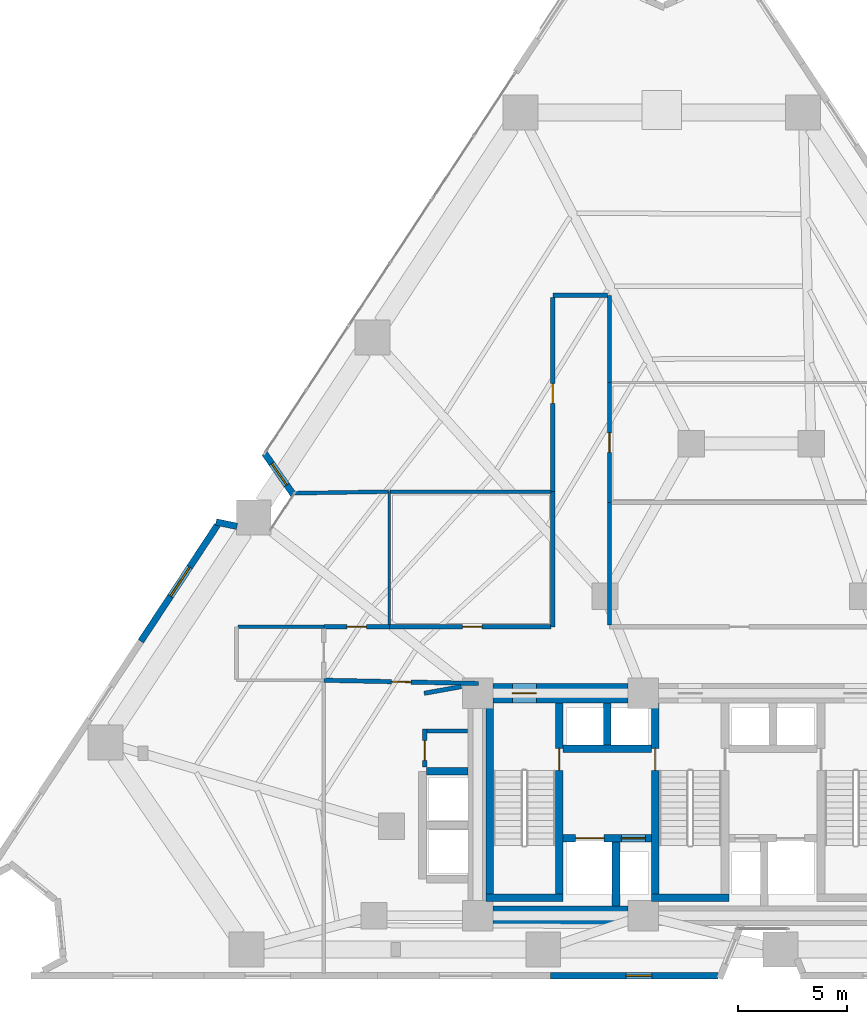
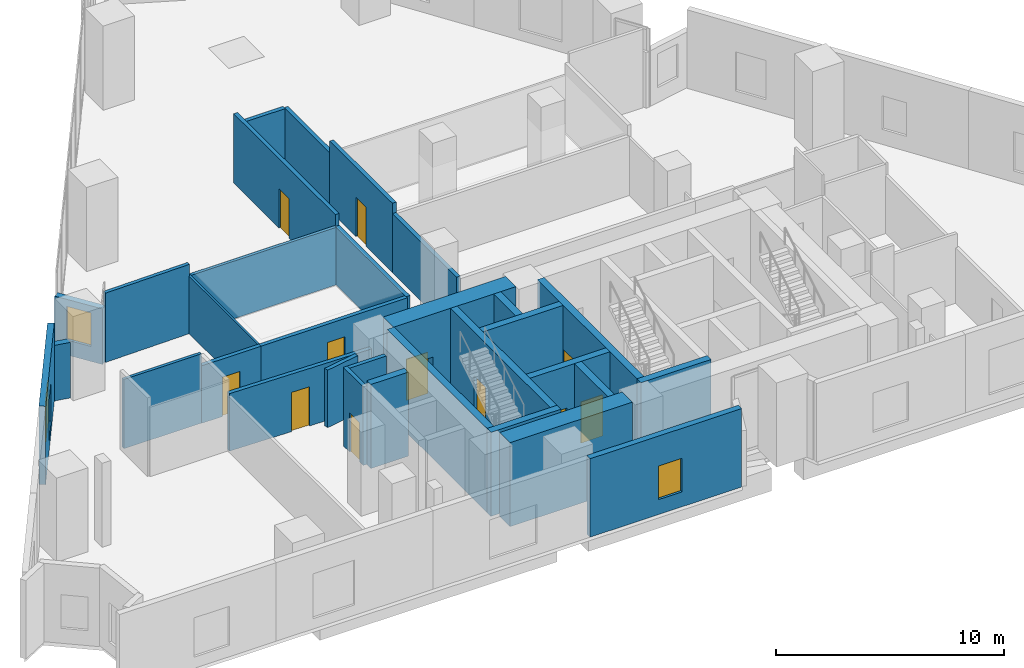
# One storey, part 7 of 12: 32 walls, 11 doors, 3 windows, 14 openings.
"""IFC4 building model written with IfcOpenShell, lengths in metres."""

from ifc_helpers import new_model, si_unit, direction, frame, frame_2d, origin, place, context, subcontext, project, spatial, rectangle, extrude, material, layer, layer_set, type_object, element, fill, save


model = new_model("IFC4")

# Units and contexts
model_context = context("Model", 3, precision=1e-05, world=origin(), true_north=direction((0.0, 1.0)))
body_context = subcontext(model_context, "Body", "Model", "MODEL_VIEW")
ifc_project = project(units=[si_unit("LENGTHUNIT", "METRE"), si_unit("AREAUNIT", "SQUARE_METRE"), si_unit("VOLUMEUNIT", "CUBIC_METRE"), si_unit("PLANEANGLEUNIT", "RADIAN"), si_unit("MASSUNIT", "GRAM", prefix="KILO")], contexts=[model_context])

# Site, building, storey
site_placement = place(None, origin())
site = spatial("IfcSite", under=ifc_project, at=site_placement, CompositionType="ELEMENT")
building_placement = place(site_placement, origin())
building = spatial("IfcBuilding", under=site, at=building_placement, Name="Almagre Mirador Tower", CompositionType="ELEMENT")
storey_placement = place(building_placement, frame((0.0, 0.0, 17.39990234375)))
storey = spatial("IfcBuildingStorey", under=building, at=storey_placement, Name="L03", CompositionType="ELEMENT", Elevation=17.39990234375)

# Wall
ifc_material_1 = material(Name="Precast concrete C50/60", Category="concrete")
ifc_layer_1 = layer(ifc_material_1, 0.300048828125)
ifc_layer_set_1 = layer_set([ifc_layer_1], Name="Precast concrete C50/60")
wall_type_1 = type_object("IfcWallType", Name="WAL-EXT-300", PredefinedType="SOLIDWALL", material=ifc_layer_set_1)
wall_1_placement = place(storey_placement, frame((15.554931640625, 22.6083984375, 0.0), z_axis=(0.0, 0.0, 1.0), x_axis=(0.979253639734, -0.202638370175, 0.0)))
element("IfcWall", 1, at=wall_1_placement, inside=storey, type_object=wall_type_1, Name="L03 expressed almagre precast frame wall 01", PredefinedType="SOLIDWALL", context=body_context, shape_type="SweptSolid", body=[
    extrude(rectangle(XDim=0.985595703125, YDim=0.300048828125, at=frame_2d((0.49267578125, 0.0))), origin(), (0.0, 0.0, 1.0), 2.97509765625),
])

# Wall, opening, window
wall_2_placement = place(storey_placement, frame((19.10791015625, 23.85595703125, 0.0), z_axis=(0.0, 0.0, 1.0), x_axis=(-0.57261227679, 0.819826311159, 0.0)))
wall_2 = element("IfcWall", 2, at=wall_2_placement, inside=storey, type_object=wall_type_1, Name="L03 expressed almagre precast frame wall 02", PredefinedType="SOLIDWALL", context=body_context, shape_type="SweptSolid", body=[
    extrude(rectangle(XDim=2.31396484375, YDim=0.300048828125, at=frame_2d((1.156982421875, 0.0))), origin(), (0.0, 0.0, 1.0), 2.97509765625),
])
opening_1_placement = place(wall_2_placement, frame((0.550048828125, 0.0, 0.800048828125)))
opening_1 = element("IfcOpeningElement", 3, at=opening_1_placement, cuts=wall_2, Name="Opening WN-04", PredefinedType="OPENING", context=body_context, shape_type="SweptSolid", body=[
    extrude(rectangle(XDim=1.199951171875, YDim=1.800048828125, at=frame_2d((0.60009765625, 0.89990234375))), frame((0.0, 0.159902, 0.0), z_axis=(0.0, -1.0, 0.0), x_axis=(1.0, 0.0, 0.0)), (0.0, 0.0, 1.0), 0.320049),
])
ifc_material_2 = material(Name="Dark solar-control laminated hurricane glass", Category="glass")
window_type_1 = type_object("IfcWindowType", Name="WIN-1200X1800", PartitioningType="SINGLE_PANEL", PredefinedType="WINDOW", material=ifc_material_2)
window_1_placement = place(opening_1_placement, origin())
window_1 = element("IfcWindow", 4, at=window_1_placement, inside=storey, type_object=window_type_1, Name="L03 recessed hurricane window L03-MAS-12", OverallHeight=1.800048828125, OverallWidth=1.199951171875, PartitioningType="SINGLE_PANEL", PredefinedType="WINDOW", context=body_context, shape_type="SweptSolid", body=[
    extrude(rectangle(XDim=1.199951171875, YDim=1.800048828125, at=frame_2d((0.60009765625, 0.89990234375))), frame((0.0, 0.030029296875, 0.0), z_axis=(0.0, -1.0, 0.0), x_axis=(1.0, 0.0, 0.0)), (0.0, 0.0, 1.0), 0.06005859375),
])
fill(opening_1, window_1)

wall_3_placement = place(storey_placement, frame((38.572998046875, 1.800048828125, 0.0), z_axis=(0.0, 0.0, 1.0), x_axis=(-1.0, 0.0, 0.0)))
wall_3 = element("IfcWall", 5, at=wall_3_placement, inside=storey, type_object=wall_type_1, Name="L03 expressed almagre precast frame wall 26", PredefinedType="SOLIDWALL", context=body_context, shape_type="SweptSolid", body=[
    extrude(rectangle(XDim=7.672119140625, YDim=0.300048828125, at=frame_2d((3.8359375, 0.0))), origin(), (0.0, 0.0, 1.0), 4.2001953125),
])
opening_2_placement = place(wall_3_placement, frame((3.02490234375, 0.0, 0.800048828125)))
opening_2 = element("IfcOpeningElement", 6, at=opening_2_placement, cuts=wall_3, Name="Opening WN-04", PredefinedType="OPENING", context=body_context, shape_type="SweptSolid", body=[
    extrude(rectangle(XDim=1.199951171875, YDim=1.800048828125, at=frame_2d((0.60009765625, 0.89990234375))), frame((0.0, 0.159902, 0.0), z_axis=(0.0, -1.0, 0.0), x_axis=(1.0, 0.0, 0.0)), (0.0, 0.0, 1.0), 0.320049),
])
window_2_placement = place(opening_2_placement, origin())
window_2 = element("IfcWindow", 7, at=window_2_placement, inside=storey, type_object=window_type_1, Name="L03 recessed hurricane window L03-PIL-3", OverallHeight=1.800048828125, OverallWidth=1.199951171875, PartitioningType="SINGLE_PANEL", PredefinedType="WINDOW", context=body_context, shape_type="SweptSolid", body=[
    extrude(rectangle(XDim=1.199951171875, YDim=1.800048828125, at=frame_2d((0.60009765625, 0.89990234375))), frame((0.0, 0.030029296875, 0.0), z_axis=(0.0, -1.0, 0.0), x_axis=(1.0, 0.0, 0.0)), (0.0, 0.0, 1.0), 0.06005859375),
])
fill(opening_2, window_2)

wall_4_placement = place(storey_placement, frame((12.107421875, 17.1396484375, 0.0), z_axis=(0.0, 0.0, 1.0), x_axis=(0.550188457537, 0.835040514701, 0.0)))
wall_4 = element("IfcWall", 8, at=wall_4_placement, inside=storey, type_object=wall_type_1, Name="L03 expressed almagre precast frame wall 36", PredefinedType="SOLIDWALL", context=body_context, shape_type="SweptSolid", body=[
    extrude(rectangle(XDim=6.380126953125, YDim=0.300048828125, at=frame_2d((3.18994140625, 0.0))), origin(), (0.0, 0.0, 1.0), 4.2001953125),
])
opening_3_placement = place(wall_4_placement, frame((2.47509765625, 0.0, 0.550048828125)))
opening_3 = element("IfcOpeningElement", 9, at=opening_3_placement, cuts=wall_4, Name="Opening WN-06", PredefinedType="OPENING", context=body_context, shape_type="SweptSolid", body=[
    extrude(rectangle(XDim=1.60009765625, YDim=2.199951171875, at=frame_2d((0.800048828125, 1.10009765625))), frame((0.0, 0.159902, 0.0), z_axis=(0.0, -1.0, 0.0), x_axis=(1.0, 0.0, 0.0)), (0.0, 0.0, 1.0), 0.320049),
])
ifc_material_3 = material(Name="Dark solar-control laminated hurricane glass", Category="glass")
window_type_2 = type_object("IfcWindowType", Name="WIN-1600X2200", PartitioningType="DOUBLE_PANEL_VERTICAL", PredefinedType="WINDOW", material=ifc_material_3)
window_3_placement = place(opening_3_placement, origin())
window_3 = element("IfcWindow", 10, at=window_3_placement, inside=storey, type_object=window_type_2, Name="L03 recessed hurricane window L03-JCE-4", OverallHeight=2.199951171875, OverallWidth=1.60009765625, PartitioningType="SINGLE_PANEL", PredefinedType="WINDOW", context=body_context, shape_type="SweptSolid", body=[
    extrude(rectangle(XDim=1.60009765625, YDim=2.199951171875, at=frame_2d((0.800048828125, 1.10009765625))), frame((0.0, 0.030029296875, 0.0), z_axis=(0.0, -1.0, 0.0), x_axis=(1.0, 0.0, 0.0)), (0.0, 0.0, 1.0), 0.06005859375),
])
fill(opening_3, window_3)

# Walls
ifc_material_4 = material(Name="Gypsum acoustic stud partition", Category="other")
ifc_layer_2 = layer(ifc_material_4, 0.10009765625)
ifc_layer_set_2 = layer_set([ifc_layer_2], Name="Gypsum acoustic stud partition")
wall_type_2 = type_object("IfcWallType", Name="WAL-PRT-100-CLS", PredefinedType="PARTITIONING", material=ifc_layer_set_2)
wall_5_placement = place(storey_placement, frame((23.5, 17.885009765625, 0.0), z_axis=(0.0, 0.0, 1.0), x_axis=(0.0, 1.0, 0.0)))
element("IfcWall", 11, at=wall_5_placement, inside=storey, type_object=wall_type_2, Name="L03 interior partition 023", PredefinedType="PARTITIONING", context=body_context, shape_type="SweptSolid", body=[
    extrude(rectangle(XDim=6.114990234375, YDim=0.10009765625, at=frame_2d((3.0576171875, 0.0))), origin(), (0.0, 0.0, 1.0), 3.078125),
])
ifc_material_5 = material(Name="Gypsum acoustic stud partition", Category="other")
ifc_layer_3 = layer(ifc_material_5, 0.14990234375)
ifc_layer_set_3 = layer_set([ifc_layer_3], Name="Gypsum acoustic stud partition")
wall_type_3 = type_object("IfcWallType", Name="WAL-PRT-150-STD", PredefinedType="PARTITIONING", material=ifc_layer_set_3)
wall_6_placement = place(storey_placement, frame((16.572509765625, 17.800048828125, 0.0), z_axis=(0.0, 0.0, 1.0), x_axis=(1.0, 0.0, 0.0)))
element("IfcWall", 12, at=wall_6_placement, inside=storey, type_object=wall_type_3, Name="L03 interior partition 022", PredefinedType="PARTITIONING", context=body_context, shape_type="SweptSolid", body=[
    extrude(rectangle(XDim=3.927490234375, YDim=0.14990234375, at=frame_2d((1.9638671875, 0.0))), origin(), (0.0, 0.0, 1.0), 3.710205078125),
])
wall_7_placement = place(storey_placement, frame((30.9150390625, 24.0, 0.0), z_axis=(0.0, 0.0, 1.0), x_axis=(-1.0, 0.0, 0.0)))
element("IfcWall", 13, at=wall_7_placement, inside=storey, type_object=wall_type_3, Name="L03 interior partition 037", PredefinedType="PARTITIONING", context=body_context, shape_type="SweptSolid", body=[
    extrude(rectangle(XDim=7.380126953125, YDim=0.14990234375, at=frame_2d((3.68994140625, 0.0))), origin(), (0.0, 0.0, 1.0), 3.078125),
])
ifc_material_6 = material(Name="Gypsum acoustic stud partition", Category="other")
ifc_layer_4 = layer(ifc_material_6, 0.175048828125)
ifc_layer_set_4 = layer_set([ifc_layer_4], Name="Gypsum acoustic stud partition")
wall_type_4 = type_object("IfcWallType", Name="WAL-PRT-175-AC", PredefinedType="PARTITIONING", material=ifc_layer_set_4)
wall_8_placement = place(storey_placement, frame((23.465087890625, 23.999267578125, 0.0), z_axis=(0.0, 0.0, 1.0), x_axis=(-0.999861314207, -0.016653899022, 0.0)))
element("IfcWall", 14, at=wall_8_placement, inside=storey, type_object=wall_type_4, Name="L03 interior partition 024", PredefinedType="PARTITIONING", context=body_context, shape_type="SweptSolid", body=[
    extrude(rectangle(XDim=4.280517578125, YDim=0.175048828125, at=frame_2d((2.14013671875, 0.0))), origin(), (0.0, 0.0, 1.0), 3.710205078125),
])

# Wall, opening, door
ifc_material_7 = material(Name="Gypsum acoustic stud partition", Category="other")
ifc_layer_5 = layer(ifc_material_7, 0.199951171875)
ifc_layer_set_5 = layer_set([ifc_layer_5], Name="Gypsum acoustic stud partition")
wall_type_5 = type_object("IfcWallType", Name="WAL-PRT-200-EI60", PredefinedType="PARTITIONING", material=ifc_layer_set_5)
wall_9_placement = place(storey_placement, frame((25.1201171875, 11.3701171875, 0.0), z_axis=(0.0, 0.0, 1.0), x_axis=(0.0, 1.0, 0.0)))
wall_9 = element("IfcWall", 15, at=wall_9_placement, inside=storey, type_object=wall_type_5, Name="L03 core ancillary west wall", PredefinedType="PARTITIONING", context=body_context, shape_type="SweptSolid", body=[
    extrude(rectangle(XDim=1.739990234375, YDim=0.199951171875, at=frame_2d((0.8701171875, 0.0))), origin(), (0.0, 0.0, 1.0), 4.2001953125),
])
opening_4_placement = place(wall_9_placement, frame((0.304931640625, 0.0, 0.0)))
opening_4 = element("IfcOpeningElement", 16, at=opening_4_placement, cuts=wall_9, Name="Opening ID-03", PredefinedType="OPENING", context=body_context, shape_type="SweptSolid", body=[
    extrude(rectangle(XDim=0.89990234375, YDim=2.10009765625, at=frame_2d((0.449951171875, 1.050048828125))), frame((0.0, 0.110098, 0.0), z_axis=(0.0, -1.0, 0.0), x_axis=(1.0, 0.0, 0.0)), (0.0, 0.0, 1.0), 0.219951),
])
ifc_material_8 = material(Name="Fire-rated hollow steel", Category="steel")
door_type_1 = type_object("IfcDoorType", Name="DOR-FD60-900X2100", OperationType="NOTDEFINED", PredefinedType="DOOR", material=ifc_material_8)
door_1_placement = place(opening_4_placement, origin())
door_1 = element("IfcDoor", 17, at=door_1_placement, inside=storey, type_object=door_type_1, Name="DR-0117 L03 core ancillary corridor door", OperationType="SINGLE_SWING_RIGHT", OverallHeight=2.10009765625, OverallWidth=0.89990234375, PredefinedType="DOOR", context=body_context, shape_type="SweptSolid", body=[
    extrude(rectangle(XDim=0.89990234375, YDim=2.10009765625, at=frame_2d((0.449951171875, 1.050048828125))), frame((0.0, 0.02490234375, 0.0), z_axis=(0.0, -1.0, 0.0), x_axis=(1.0, 0.0, 0.0)), (0.0, 0.0, 1.0), 0.050048828125),
])
fill(opening_4, door_1)

# Wall
wall_10_placement = place(storey_placement, frame((25.22509765625, 13.02001953125, 0.0), z_axis=(0.0, 0.0, 1.0), x_axis=(1.0, 0.0, 0.0)))
element("IfcWall", 18, at=wall_10_placement, inside=storey, type_object=wall_type_5, Name="L03 core ancillary north wall", PredefinedType="PARTITIONING", context=body_context, shape_type="SweptSolid", body=[
    extrude(rectangle(XDim=1.85986328125, YDim=0.199951171875, at=frame_2d((0.929931640625, 0.0))), origin(), (0.0, 0.0, 1.0), 4.2001953125),
])

# Wall, opening, door
wall_11_placement = place(storey_placement, frame((20.5, 15.35009765625, 0.0), z_axis=(0.0, 0.0, 1.0), x_axis=(0.999776475021, -0.021142374394, 0.0)))
wall_11 = element("IfcWall", 19, at=wall_11_placement, inside=storey, type_object=wall_type_5, Name="L03 interior partition 001", PredefinedType="PARTITIONING", context=body_context, shape_type="SweptSolid", body=[
    extrude(rectangle(XDim=7.101806640625, YDim=0.199951171875, at=frame_2d((3.55078125, 0.0))), origin(), (0.0, 0.0, 1.0), 3.078125),
])
opening_5_placement = place(wall_11_placement, frame((3.100830078125, 0.0, 0.0)))
opening_5 = element("IfcOpeningElement", 20, at=opening_5_placement, cuts=wall_11, Name="Opening ID-03", PredefinedType="OPENING", context=body_context, shape_type="SweptSolid", body=[
    extrude(rectangle(XDim=0.89990234375, YDim=2.10009765625, at=frame_2d((0.449951171875, 1.050048828125))), frame((0.0, 0.110098, 0.0), z_axis=(0.0, -1.0, 0.0), x_axis=(1.0, 0.0, 0.0)), (0.0, 0.0, 1.0), 0.219951),
])
door_2_placement = place(opening_5_placement, origin())
door_2 = element("IfcDoor", 21, at=door_2_placement, inside=storey, type_object=door_type_1, Name="DR-0126 L03 interior door L03-COR to L03-PIL-3", OperationType="SINGLE_SWING_LEFT", OverallHeight=2.10009765625, OverallWidth=0.89990234375, PredefinedType="DOOR", context=body_context, shape_type="SweptSolid", body=[
    extrude(rectangle(XDim=0.89990234375, YDim=2.10009765625, at=frame_2d((0.449951171875, 1.050048828125))), frame((0.0, 0.02490234375, 0.0), z_axis=(0.0, -1.0, 0.0), x_axis=(1.0, 0.0, 0.0)), (0.0, 0.0, 1.0), 0.050048828125),
])
fill(opening_5, door_2)

wall_12_placement = place(storey_placement, frame((23.5, 17.800048828125, 0.0), z_axis=(0.0, 0.0, 1.0), x_axis=(-1.0, 0.0, 0.0)))
wall_12 = element("IfcWall", 22, at=wall_12_placement, inside=storey, type_object=wall_type_5, Name="L03 interior partition 002", PredefinedType="PARTITIONING", context=body_context, shape_type="SweptSolid", body=[
    extrude(rectangle(XDim=3.0, YDim=0.199951171875, at=frame_2d((1.5, 0.0))), origin(), (0.0, 0.0, 1.0), 3.078125),
])
opening_6_placement = place(wall_12_placement, frame((1.050048828125, 0.0, 0.0)))
opening_6 = element("IfcOpeningElement", 23, at=opening_6_placement, cuts=wall_12, Name="Opening ID-03", PredefinedType="OPENING", context=body_context, shape_type="SweptSolid", body=[
    extrude(rectangle(XDim=0.89990234375, YDim=2.10009765625, at=frame_2d((0.449951171875, 1.050048828125))), frame((0.0, 0.110098, 0.0), z_axis=(0.0, -1.0, 0.0), x_axis=(1.0, 0.0, 0.0)), (0.0, 0.0, 1.0), 0.219951),
])
door_3_placement = place(opening_6_placement, origin())
door_3 = element("IfcDoor", 24, at=door_3_placement, inside=storey, type_object=door_type_1, Name="DR-0123 L03 interior door L03-COR to L03-JCE-4", OperationType="SINGLE_SWING_RIGHT", OverallHeight=2.10009765625, OverallWidth=0.89990234375, PredefinedType="DOOR", context=body_context, shape_type="SweptSolid", body=[
    extrude(rectangle(XDim=0.89990234375, YDim=2.10009765625, at=frame_2d((0.449951171875, 1.050048828125))), frame((0.0, 0.02490234375, 0.0), z_axis=(0.0, -1.0, 0.0), x_axis=(1.0, 0.0, 0.0)), (0.0, 0.0, 1.0), 0.050048828125),
])
fill(opening_6, door_3)

# Walls
wall_13_placement = place(storey_placement, frame((33.60009765625, 17.885009765625, 0.0), z_axis=(0.0, 0.0, 1.0), x_axis=(0.0, 1.0, 0.0)))
element("IfcWall", 25, at=wall_13_placement, inside=storey, type_object=wall_type_5, Name="L03 interior partition 007", PredefinedType="PARTITIONING", context=body_context, shape_type="SweptSolid", body=[
    extrude(rectangle(XDim=5.614990234375, YDim=0.199951171875, at=frame_2d((2.8076171875, 0.0))), origin(), (0.0, 0.0, 1.0), 3.1591796875),
])
wall_14_placement = place(storey_placement, frame((31.0, 24.0, 0.0), z_axis=(0.0, 0.0, 1.0), x_axis=(0.0, -1.0, 0.0)))
element("IfcWall", 26, at=wall_14_placement, inside=storey, type_object=wall_type_5, Name="L03 interior partition 008", PredefinedType="PARTITIONING", context=body_context, shape_type="SweptSolid", body=[
    extrude(rectangle(XDim=6.199951171875, YDim=0.199951171875, at=frame_2d((3.10009765625, 0.0))), origin(), (0.0, 0.0, 1.0), 3.078125),
])

# Wall, opening, door
wall_15_placement = place(storey_placement, frame((30.9150390625, 17.800048828125, 0.0), z_axis=(0.0, 0.0, 1.0), x_axis=(-1.0, 0.0, 0.0)))
wall_15 = element("IfcWall", 27, at=wall_15_placement, inside=storey, type_object=wall_type_5, Name="L03 interior partition 009", PredefinedType="PARTITIONING", context=body_context, shape_type="SweptSolid", body=[
    extrude(rectangle(XDim=7.4150390625, YDim=0.199951171875, at=frame_2d((3.70751953125, 0.0))), origin(), (0.0, 0.0, 1.0), 3.078125),
])
opening_7_placement = place(wall_15_placement, frame((3.155517578125, 0.0, 0.0)))
opening_7 = element("IfcOpeningElement", 28, at=opening_7_placement, cuts=wall_15, Name="Opening ID-03", PredefinedType="OPENING", context=body_context, shape_type="SweptSolid", body=[
    extrude(rectangle(XDim=0.89990234375, YDim=2.10009765625, at=frame_2d((0.449951171875, 1.050048828125))), frame((0.0, 0.110098, 0.0), z_axis=(0.0, -1.0, 0.0), x_axis=(1.0, 0.0, 0.0)), (0.0, 0.0, 1.0), 0.219951),
])
door_4_placement = place(opening_7_placement, origin())
door_4 = element("IfcDoor", 29, at=door_4_placement, inside=storey, type_object=door_type_1, Name="DR-0122 L03 interior door L03-COR to L03-JCE-10", OperationType="SINGLE_SWING_LEFT", OverallHeight=2.10009765625, OverallWidth=0.89990234375, PredefinedType="DOOR", context=body_context, shape_type="SweptSolid", body=[
    extrude(rectangle(XDim=0.89990234375, YDim=2.10009765625, at=frame_2d((0.449951171875, 1.050048828125))), frame((0.0, 0.02490234375, 0.0), z_axis=(0.0, -1.0, 0.0), x_axis=(1.0, 0.0, 0.0)), (0.0, 0.0, 1.0), 0.050048828125),
])
fill(opening_7, door_4)

wall_16_placement = place(storey_placement, frame((33.60009765625, 23.5, 0.0), z_axis=(0.0, 0.0, 1.0), x_axis=(0.0, 1.0, 0.0)))
wall_16 = element("IfcWall", 30, at=wall_16_placement, inside=storey, type_object=wall_type_5, Name="L03 interior partition 010", PredefinedType="PARTITIONING", context=body_context, shape_type="SweptSolid", body=[
    extrude(rectangle(XDim=5.5, YDim=0.199951171875, at=frame_2d((2.75, 0.0))), origin(), (0.0, 0.0, 1.0), 3.710205078125),
])
opening_8_placement = place(wall_16_placement, frame((2.300048828125, 0.0, 0.0)))
opening_8 = element("IfcOpeningElement", 31, at=opening_8_placement, cuts=wall_16, Name="Opening ID-03", PredefinedType="OPENING", context=body_context, shape_type="SweptSolid", body=[
    extrude(rectangle(XDim=0.89990234375, YDim=2.10009765625, at=frame_2d((0.449951171875, 1.050048828125))), frame((0.0, 0.110098, 0.0), z_axis=(0.0, -1.0, 0.0), x_axis=(1.0, 0.0, 0.0)), (0.0, 0.0, 1.0), 0.219951),
])
door_5_placement = place(opening_8_placement, origin())
door_5 = element("IfcDoor", 32, at=door_5_placement, inside=storey, type_object=door_type_1, Name="DR-0129 L03 interior door L03-COR to L03-TRT-11", OperationType="SINGLE_SWING_RIGHT", OverallHeight=2.10009765625, OverallWidth=0.89990234375, PredefinedType="DOOR", context=body_context, shape_type="SweptSolid", body=[
    extrude(rectangle(XDim=0.89990234375, YDim=2.10009765625, at=frame_2d((0.449951171875, 1.050048828125))), frame((0.0, 0.02490234375, 0.0), z_axis=(0.0, -1.0, 0.0), x_axis=(1.0, 0.0, 0.0)), (0.0, 0.0, 1.0), 0.050048828125),
])
fill(opening_8, door_5)

# Walls
wall_17_placement = place(storey_placement, frame((33.60009765625, 29.0, 0.0), z_axis=(0.0, 0.0, 1.0), x_axis=(0.0, 1.0, 0.0)))
element("IfcWall", 33, at=wall_17_placement, inside=storey, type_object=wall_type_5, Name="L03 interior partition 011", PredefinedType="PARTITIONING", context=body_context, shape_type="SweptSolid", body=[
    extrude(rectangle(XDim=4.0, YDim=0.199951171875, at=frame_2d((2.0, 0.0))), origin(), (0.0, 0.0, 1.0), 3.078125),
])
wall_18_placement = place(storey_placement, frame((33.514892578125, 33.0, 0.0), z_axis=(0.0, 0.0, 1.0), x_axis=(-1.0, 0.0, 0.0)))
element("IfcWall", 34, at=wall_18_placement, inside=storey, type_object=wall_type_5, Name="L03 interior partition 012", PredefinedType="PARTITIONING", context=body_context, shape_type="SweptSolid", body=[
    extrude(rectangle(XDim=2.514892578125, YDim=0.199951171875, at=frame_2d((1.25732421875, 0.0))), origin(), (0.0, 0.0, 1.0), 3.078125),
])

# Wall, opening, door
wall_19_placement = place(storey_placement, frame((31.0, 32.9150390625, 0.0), z_axis=(0.0, 0.0, 1.0), x_axis=(0.0, -1.0, 0.0)))
wall_19 = element("IfcWall", 35, at=wall_19_placement, inside=storey, type_object=wall_type_5, Name="L03 interior partition 013", PredefinedType="PARTITIONING", context=body_context, shape_type="SweptSolid", body=[
    extrude(rectangle(XDim=8.9150390625, YDim=0.199951171875, at=frame_2d((4.45751953125, 0.0))), origin(), (0.0, 0.0, 1.0), 3.710205078125),
])
opening_9_placement = place(wall_19_placement, frame((3.965087890625, 0.0, 0.0)))
opening_9 = element("IfcOpeningElement", 36, at=opening_9_placement, cuts=wall_19, Name="Opening ID-03", PredefinedType="OPENING", context=body_context, shape_type="SweptSolid", body=[
    extrude(rectangle(XDim=0.89990234375, YDim=2.10009765625, at=frame_2d((0.449951171875, 1.050048828125))), frame((0.0, 0.110098, 0.0), z_axis=(0.0, -1.0, 0.0), x_axis=(1.0, 0.0, 0.0)), (0.0, 0.0, 1.0), 0.219951),
])
door_6_placement = place(opening_9_placement, origin())
door_6 = element("IfcDoor", 37, at=door_6_placement, inside=storey, type_object=door_type_1, Name="DR-0124 L03 interior door L03-COR to L03-MAS-12", OperationType="SINGLE_SWING_LEFT", OverallHeight=2.10009765625, OverallWidth=0.89990234375, PredefinedType="DOOR", context=body_context, shape_type="SweptSolid", body=[
    extrude(rectangle(XDim=0.89990234375, YDim=2.10009765625, at=frame_2d((0.449951171875, 1.050048828125))), frame((0.0, 0.02490234375, 0.0), z_axis=(0.0, -1.0, 0.0), x_axis=(1.0, 0.0, 0.0)), (0.0, 0.0, 1.0), 0.050048828125),
])
fill(opening_9, door_6)

# Walls
wall_20_placement = place(storey_placement, frame((25.10009765625, 14.75, 0.0), z_axis=(0.0, 0.0, 1.0), x_axis=(0.984164140642, 0.177259539302, 0.0)))
element("IfcWall", 38, at=wall_20_placement, inside=storey, type_object=wall_type_5, Name="L03 interior partition 039", PredefinedType="PARTITIONING", context=body_context, shape_type="SweptSolid", body=[
    extrude(rectangle(XDim=1.731201171875, YDim=0.199951171875, at=frame_2d((0.86572265625, 0.0))), origin(), (0.0, 0.0, 1.0), 3.078125),
])
ifc_material_9 = material(Name="Concrete C60/75", Category="concrete")
ifc_layer_6 = layer(ifc_material_9, 0.35009765625)
ifc_layer_set_6 = layer_set([ifc_layer_6], Name="Concrete C60/75")
wall_type_6 = type_object("IfcWallType", Name="WAL-SHF-350", PredefinedType="SOLIDWALL", material=ifc_layer_set_6)
wall_21_placement = place(storey_placement, frame((28.10009765625, 5.199951171875, 0.0), z_axis=(0.0, 0.0, 1.0), x_axis=(0.0, 1.0, 0.0)))
element("IfcWall", 39, at=wall_21_placement, inside=storey, type_object=wall_type_6, Name="L03 shaft wall ST1-W", PredefinedType="SOLIDWALL", context=body_context, shape_type="SweptSolid", body=[
    extrude(rectangle(XDim=9.10009765625, YDim=0.35009765625, at=frame_2d((4.550048828125, 0.0))), origin(), (0.0, 0.0, 1.0), 4.5),
])

# Wall, opening, door
wall_22_placement = place(storey_placement, frame((31.300048828125, 5.199951171875, 0.0), z_axis=(0.0, 0.0, 1.0), x_axis=(0.0, 1.0, 0.0)))
wall_22 = element("IfcWall", 40, at=wall_22_placement, inside=storey, type_object=wall_type_6, Name="L03 shaft wall ST1-E", PredefinedType="SOLIDWALL", context=body_context, shape_type="SweptSolid", body=[
    extrude(rectangle(XDim=9.10009765625, YDim=0.35009765625, at=frame_2d((4.550048828125, 0.0))), origin(), (0.0, 0.0, 1.0), 4.5),
])
opening_10_placement = place(wall_22_placement, frame((6.02001953125, 0.0, 0.0)))
opening_10 = element("IfcOpeningElement", 41, at=opening_10_placement, cuts=wall_22, Name="Opening FD-01", PredefinedType="OPENING", context=body_context, shape_type="SweptSolid", body=[
    extrude(rectangle(XDim=1.0, YDim=2.14990234375, at=frame_2d((0.5, 1.074951171875))), frame((0.0, 0.185049, 0.0), z_axis=(0.0, -1.0, 0.0), x_axis=(1.0, 0.0, 0.0)), (0.0, 0.0, 1.0), 0.370098),
])
ifc_material_10 = material(Name="Fire-rated hollow steel", Category="steel")
door_type_2 = type_object("IfcDoorType", Name="DOR-FFL-1000X2150", OperationType="NOTDEFINED", PredefinedType="DOOR", material=ifc_material_10)
door_7_placement = place(opening_10_placement, origin())
door_7 = element("IfcDoor", 42, at=door_7_placement, inside=storey, type_object=door_type_2, Name="DR-0118 L03 FFL1-ST1 smokeproof door", OperationType="SINGLE_SWING_RIGHT", OverallHeight=2.14990234375, OverallWidth=1.0, PredefinedType="DOOR", context=body_context, shape_type="SweptSolid", body=[
    extrude(rectangle(XDim=1.0, YDim=2.14990234375, at=frame_2d((0.5, 1.074951171875))), frame((0.0, 0.02490234375, 0.0), z_axis=(0.0, -1.0, 0.0), x_axis=(1.0, 0.0, 0.0)), (0.0, 0.0, 1.0), 0.050048828125),
])
fill(opening_10, door_7)

# Wall
wall_23_placement = place(storey_placement, frame((27.925048828125, 5.375, 0.0), z_axis=(0.0, 0.0, 1.0), x_axis=(1.0, 0.0, 0.0)))
element("IfcWall", 43, at=wall_23_placement, inside=storey, type_object=wall_type_6, Name="L03 shaft wall ST1-S", PredefinedType="SOLIDWALL", context=body_context, shape_type="SweptSolid", body=[
    extrude(rectangle(XDim=3.550048828125, YDim=0.35009765625, at=frame_2d((1.77490234375, 0.0))), origin(), (0.0, 0.0, 1.0), 4.5),
])

# Wall, opening, door
wall_24_placement = place(storey_placement, frame((35.699951171875, 5.199951171875, 0.0), z_axis=(0.0, 0.0, 1.0), x_axis=(0.0, 1.0, 0.0)))
wall_24 = element("IfcWall", 44, at=wall_24_placement, inside=storey, type_object=wall_type_6, Name="L03 shaft wall ST2-W", PredefinedType="SOLIDWALL", context=body_context, shape_type="SweptSolid", body=[
    extrude(rectangle(XDim=9.10009765625, YDim=0.35009765625, at=frame_2d((4.550048828125, 0.0))), origin(), (0.0, 0.0, 1.0), 4.5),
])
opening_11_placement = place(wall_24_placement, frame((6.02001953125, 0.0, 0.0)))
opening_11 = element("IfcOpeningElement", 45, at=opening_11_placement, cuts=wall_24, Name="Opening FD-01", PredefinedType="OPENING", context=body_context, shape_type="SweptSolid", body=[
    extrude(rectangle(XDim=1.0, YDim=2.14990234375, at=frame_2d((0.5, 1.074951171875))), frame((0.0, 0.185049, 0.0), z_axis=(0.0, -1.0, 0.0), x_axis=(1.0, 0.0, 0.0)), (0.0, 0.0, 1.0), 0.370098),
])
door_8_placement = place(opening_11_placement, origin())
door_8 = element("IfcDoor", 46, at=door_8_placement, inside=storey, type_object=door_type_2, Name="DR-0119 L03 FFL1-ST2 smokeproof door", OperationType="SINGLE_SWING_LEFT", OverallHeight=2.14990234375, OverallWidth=1.0, PredefinedType="DOOR", context=body_context, shape_type="SweptSolid", body=[
    extrude(rectangle(XDim=1.0, YDim=2.14990234375, at=frame_2d((0.5, 1.074951171875))), frame((0.0, 0.02490234375, 0.0), z_axis=(0.0, -1.0, 0.0), x_axis=(1.0, 0.0, 0.0)), (0.0, 0.0, 1.0), 0.050048828125),
])
fill(opening_11, door_8)

# Wall
wall_25_placement = place(storey_placement, frame((35.52490234375, 5.375, 0.0), z_axis=(0.0, 0.0, 1.0), x_axis=(1.0, 0.0, 0.0)))
element("IfcWall", 47, at=wall_25_placement, inside=storey, type_object=wall_type_6, Name="L03 shaft wall ST2-S", PredefinedType="SOLIDWALL", context=body_context, shape_type="SweptSolid", body=[
    extrude(rectangle(XDim=3.550048828125, YDim=0.35009765625, at=frame_2d((1.77490234375, 0.0))), origin(), (0.0, 0.0, 1.0), 4.5),
])

# Wall, openings, doors
wall_26_placement = place(storey_placement, frame((31.47509765625, 8.10009765625, 0.0), z_axis=(0.0, 0.0, 1.0), x_axis=(1.0, 0.0, 0.0)))
wall_26 = element("IfcWall", 48, at=wall_26_placement, inside=storey, type_object=wall_type_6, Name="L03 shaft wall FSAE1-N", PredefinedType="SOLIDWALL", context=body_context, shape_type="SweptSolid", body=[
    extrude(rectangle(XDim=4.0498046875, YDim=0.35009765625, at=frame_2d((2.02490234375, 0.0))), origin(), (0.0, 0.0, 1.0), 4.5),
])
opening_12_placement = place(wall_26_placement, frame((0.574951171875, 0.0, 0.0)))
opening_12 = element("IfcOpeningElement", 49, at=opening_12_placement, cuts=wall_26, Name="Opening LD-03", PredefinedType="OPENING", context=body_context, shape_type="SweptSolid", body=[
    extrude(rectangle(XDim=1.300048828125, YDim=2.25, at=frame_2d((0.64990234375, 1.125))), frame((0.0, 0.185049, 0.0), z_axis=(0.0, -1.0, 0.0), x_axis=(1.0, 0.0, 0.0)), (0.0, 0.0, 1.0), 0.370098),
])
opening_13_placement = place(wall_26_placement, frame((2.675048828125, 0.0, 0.0)))
opening_13 = element("IfcOpeningElement", 50, at=opening_13_placement, cuts=wall_26, Name="Opening LD-01", PredefinedType="OPENING", context=body_context, shape_type="SweptSolid", body=[
    extrude(rectangle(XDim=1.10009765625, YDim=2.199951171875, at=frame_2d((0.550048828125, 1.10009765625))), frame((0.0, 0.185049, 0.0), z_axis=(0.0, -1.0, 0.0), x_axis=(1.0, 0.0, 0.0)), (0.0, 0.0, 1.0), 0.370098),
])
ifc_material_11 = material(Name="Hollow stainless steel", Category="steel")
door_type_3 = type_object("IfcDoorType", Name="DOR-LD-1100X2200", OperationType="DOUBLE_DOOR_SLIDING", PredefinedType="DOOR", material=ifc_material_11)
door_9_placement = place(opening_13_placement, origin())
door_9 = element("IfcDoor", 51, at=door_9_placement, inside=storey, type_object=door_type_3, Name="DR-0135 L03 PL-L1 lift landing door", OperationType="DOUBLE_DOOR_SLIDING", OverallHeight=2.199951171875, OverallWidth=1.10009765625, PredefinedType="DOOR", context=body_context, shape_type="SweptSolid", body=[
    extrude(rectangle(XDim=1.10009765625, YDim=2.199951171875, at=frame_2d((0.550048828125, 1.10009765625))), frame((0.0, 0.02490234375, 0.0), z_axis=(0.0, -1.0, 0.0), x_axis=(1.0, 0.0, 0.0)), (0.0, 0.0, 1.0), 0.050048828125),
])
fill(opening_13, door_9)
ifc_material_12 = material(Name="Hollow stainless steel", Category="steel")
door_type_4 = type_object("IfcDoorType", Name="DOR-LD-1300X2250", OperationType="DOUBLE_DOOR_SLIDING", PredefinedType="DOOR", material=ifc_material_12)
door_10_placement = place(opening_12_placement, origin())
door_10 = element("IfcDoor", 52, at=door_10_placement, inside=storey, type_object=door_type_4, Name="DR-0133 L03 FSAE-1 lift landing door", OperationType="DOUBLE_DOOR_SLIDING", OverallHeight=2.25, OverallWidth=1.300048828125, PredefinedType="DOOR", context=body_context, shape_type="SweptSolid", body=[
    extrude(rectangle(XDim=1.300048828125, YDim=2.25, at=frame_2d((0.64990234375, 1.125))), frame((0.0, 0.02490234375, 0.0), z_axis=(0.0, -1.0, 0.0), x_axis=(1.0, 0.0, 0.0)), (0.0, 0.0, 1.0), 0.050048828125),
])
fill(opening_12, door_10)

# Walls
wall_27_placement = place(storey_placement, frame((33.89990234375, 5.0, 0.0), z_axis=(0.0, 0.0, 1.0), x_axis=(0.0, 1.0, 0.0)))
element("IfcWall", 53, at=wall_27_placement, inside=storey, type_object=wall_type_6, Name="L03 shaft wall FSAE1-E", PredefinedType="SOLIDWALL", context=body_context, shape_type="SweptSolid", body=[
    extrude(rectangle(XDim=2.925048828125, YDim=0.35009765625, at=frame_2d((1.46240234375, 0.0))), origin(), (0.0, 0.0, 1.0), 4.5),
])
wall_28_placement = place(storey_placement, frame((31.47509765625, 12.199951171875, 0.0), z_axis=(0.0, 0.0, 1.0), x_axis=(1.0, 0.0, 0.0)))
element("IfcWall", 54, at=wall_28_placement, inside=storey, type_object=wall_type_6, Name="L03 shaft wall PLM-S", PredefinedType="SOLIDWALL", context=body_context, shape_type="SweptSolid", body=[
    extrude(rectangle(XDim=4.0498046875, YDim=0.35009765625, at=frame_2d((2.02490234375, 0.0))), origin(), (0.0, 0.0, 1.0), 4.5),
])
wall_29_placement = place(storey_placement, frame((33.5, 12.375, 0.0), z_axis=(0.0, 0.0, 1.0), x_axis=(0.0, 1.0, 0.0)))
element("IfcWall", 55, at=wall_29_placement, inside=storey, type_object=wall_type_6, Name="L03 shaft wall PLM-M", PredefinedType="SOLIDWALL", context=body_context, shape_type="SweptSolid", body=[
    extrude(rectangle(XDim=1.925048828125, YDim=0.35009765625, at=frame_2d((0.96240234375, 0.0))), origin(), (0.0, 0.0, 1.0), 4.5),
])
wall_30_placement = place(storey_placement, frame((25.199951171875, 11.175048828125, 0.0), z_axis=(0.0, 0.0, 1.0), x_axis=(1.0, 0.0, 0.0)))
element("IfcWall", 56, at=wall_30_placement, inside=storey, type_object=wall_type_6, Name="L03 shaft wall OL-N", PredefinedType="SOLIDWALL", context=body_context, shape_type="SweptSolid", body=[
    extrude(rectangle(XDim=1.900146484375, YDim=0.35009765625, at=frame_2d((0.9501953125, 0.0))), origin(), (0.0, 0.0, 1.0), 4.5),
])
ifc_material_13 = material(Name="Concrete C70/85", Category="concrete")
ifc_layer_7 = layer(ifc_material_13, 0.89990234375)
ifc_layer_set_7 = layer_set([ifc_layer_7], Name="Concrete C70/85")
wall_type_7 = type_object("IfcWallType", Name="WAL-SHR-900", PredefinedType="SHEAR", material=ifc_layer_set_7)
wall_31_placement = place(storey_placement, frame((28.25, 4.550048828125, 0.0), z_axis=(0.0, 0.0, 1.0), x_axis=(1.0, 0.0, 0.0)))
element("IfcWall", 57, at=wall_31_placement, inside=storey, type_object=wall_type_7, Name="L03 core shear wall S1", PredefinedType="SHEAR", context=body_context, shape_type="SweptSolid", body=[
    extrude(rectangle(XDim=6.199951171875, YDim=0.89990234375, at=frame_2d((3.10009765625, 0.0))), origin(), (0.0, 0.0, 1.0), 4.5),
])

# Wall, opening, door
wall_32_placement = place(storey_placement, frame((28.25, 14.75, 0.0), z_axis=(0.0, 0.0, 1.0), x_axis=(1.0, 0.0, 0.0)))
wall_32 = element("IfcWall", 58, at=wall_32_placement, inside=storey, type_object=wall_type_7, Name="L03 core shear wall N1", PredefinedType="SHEAR", context=body_context, shape_type="SweptSolid", body=[
    extrude(rectangle(XDim=6.199951171875, YDim=0.89990234375, at=frame_2d((3.10009765625, 0.0))), origin(), (0.0, 0.0, 1.0), 4.5),
])
opening_14_placement = place(wall_32_placement, frame((0.89990234375, 0.0, 0.0)))
opening_14 = element("IfcOpeningElement", 59, at=opening_14_placement, cuts=wall_32, Name="Opening SD-02", PredefinedType="OPENING", context=body_context, shape_type="SweptSolid", body=[
    extrude(rectangle(XDim=1.10009765625, YDim=2.199951171875, at=frame_2d((0.550048828125, 1.10009765625))), frame((0.0, 0.459951, 0.0), z_axis=(0.0, -1.0, 0.0), x_axis=(1.0, 0.0, 0.0)), (0.0, 0.0, 1.0), 0.919902),
])
ifc_material_14 = material(Name="Fire-rated hollow steel", Category="steel")
door_type_5 = type_object("IfcDoorType", Name="DOR-ST-1100X2200", OperationType="NOTDEFINED", PredefinedType="DOOR", material=ifc_material_14)
door_11_placement = place(opening_14_placement, origin())
door_11 = element("IfcDoor", 60, at=door_11_placement, inside=storey, type_object=door_type_5, Name="DR-0137 L03 protected exit stair ST-1 door", OperationType="SINGLE_SWING_RIGHT", OverallHeight=2.199951171875, OverallWidth=1.10009765625, PredefinedType="DOOR", context=body_context, shape_type="SweptSolid", body=[
    extrude(rectangle(XDim=1.10009765625, YDim=2.199951171875, at=frame_2d((0.550048828125, 1.10009765625))), frame((0.0, 0.02490234375, 0.0), z_axis=(0.0, -1.0, 0.0), x_axis=(1.0, 0.0, 0.0)), (0.0, 0.0, 1.0), 0.050048828125),
])
fill(opening_14, door_11)

save(model, "model.ifc")
